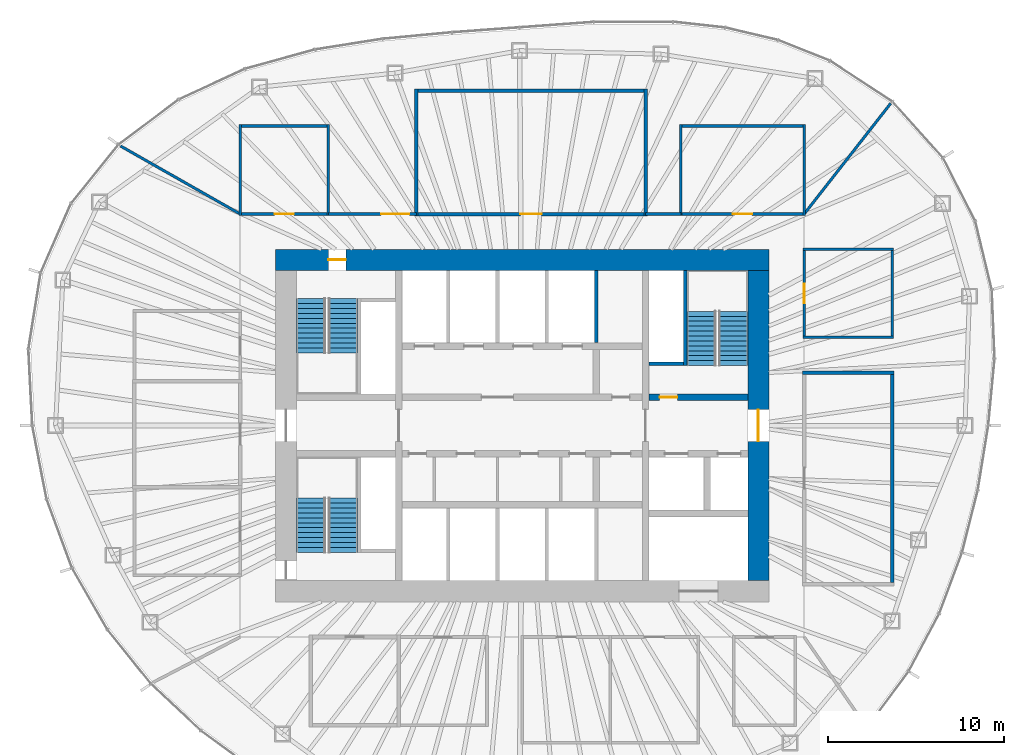
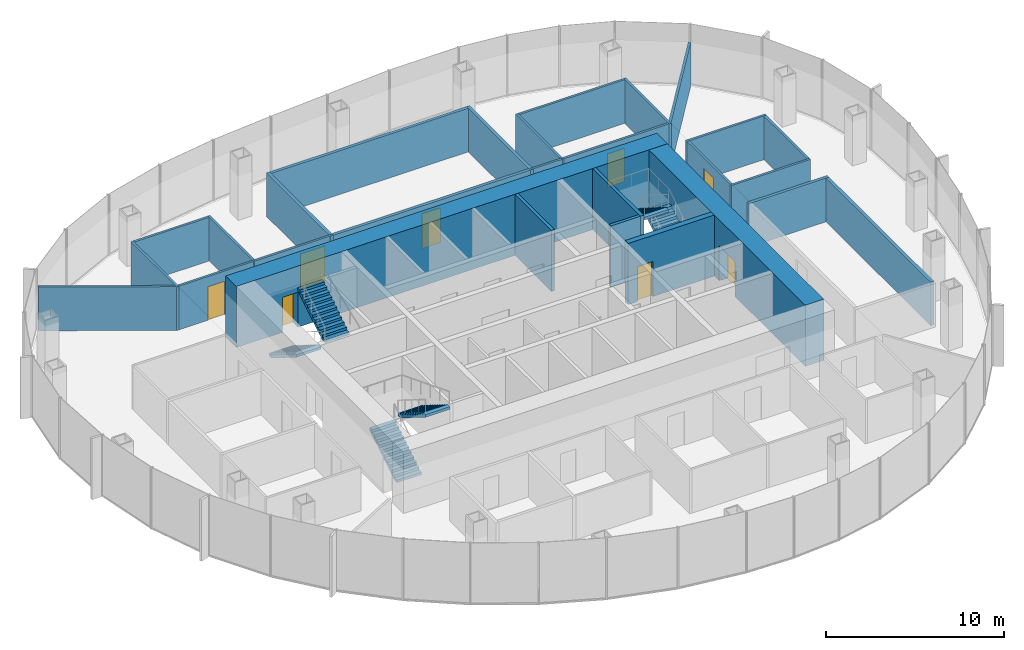
# One storey, part 10 of 11: 28 walls, 8 doors, 6 stair flights, 8 openings, 3 elements without a shape of their own.
"""IFC4 building model written with IfcOpenShell, lengths in metres."""

from ifc_helpers import new_model, si_unit, direction, frame, frame_2d, origin, place, context, subcontext, project, spatial, polyline, rectangle, outline, extrude, material, layer, layer_set, type_object, element, fill, aggregate, save


model = new_model("IFC4")

# Units and contexts
model_context = context("Model", 3, precision=1e-05, world=origin(), true_north=direction((0.0, 1.0)))
body_context = subcontext(model_context, "Body", "Model", "MODEL_VIEW")
ifc_project = project(units=[si_unit("LENGTHUNIT", "METRE"), si_unit("AREAUNIT", "SQUARE_METRE"), si_unit("VOLUMEUNIT", "CUBIC_METRE"), si_unit("PLANEANGLEUNIT", "RADIAN"), si_unit("MASSUNIT", "GRAM", prefix="KILO")], contexts=[model_context])

# Site, building, storey
site_placement = place(None, origin())
site = spatial("IfcSite", under=ifc_project, at=site_placement, CompositionType="ELEMENT")
building_placement = place(site_placement, origin())
building = spatial("IfcBuilding", under=site, at=building_placement, Name="Ghaith Harvest Tower", CompositionType="ELEMENT")
storey_placement = place(building_placement, frame((0.0, 0.0, 262.0)))
storey = spatial("IfcBuildingStorey", under=building, at=storey_placement, Name="L58", CompositionType="ELEMENT", Elevation=262.0)

# Walls
ifc_material_1 = material(Name="Twin-stud gypsum board, acoustic", Category="gypsum")
ifc_layer_1 = layer(ifc_material_1, 0.199951171875)
ifc_layer_set_1 = layer_set([ifc_layer_1], Name="ACOUSTIC PARTITION 200")
wall_type_1 = type_object("IfcWallType", Name="ACOUSTIC PARTITION 200", PredefinedType="PARTITIONING", material=ifc_layer_set_1)
for number, where, z_axis, x_axis, name in (
    (1, (-6.0, 11.89990234375, 0.0), (0.0, 0.0, 1.0), (0.0, 1.0, 0.0), "Partition L58 row N1 cross wall 1"),
    (2, (7.0, 11.89990234375, 0.0), (0.0, 0.0, 1.0), (0.0, 1.0, 0.0), "Partition L58 row N1 cross wall 2"),
):
    element("IfcWall", number, at=place(storey_placement, frame(where, z_axis=z_axis, x_axis=x_axis)), inside=storey, type_object=wall_type_1, Name=name, PredefinedType="PARTITIONING", context=body_context, shape_type="SweptSolid", body=[
        extrude(rectangle(XDim=7.2001953125, YDim=0.199951171875, at=frame_2d((3.60009765625, 0.0))), origin(), (0.0, 0.0, 1.0), 3.0),
    ])

# Wall, opening, door
wall_1_placement = place(storey_placement, frame((-5.89990234375, 12.0, 0.0), z_axis=(0.0, 0.0, 1.0), x_axis=(1.0, 0.0, 0.0)))
wall_1 = element("IfcWall", 3, at=wall_1_placement, inside=storey, type_object=wall_type_1, Name="Partition L58-01", PredefinedType="PARTITIONING", context=body_context, shape_type="SweptSolid", body=[
    extrude(rectangle(XDim=12.7998046875, YDim=0.199951171875, at=frame_2d((6.39990234375, 0.0))), origin(), (0.0, 0.0, 1.0), 3.0),
])
opening_1_placement = place(wall_1_placement, frame((5.800048828125, 0.0, 0.0)))
opening_1 = element("IfcOpeningElement", 4, at=opening_1_placement, cuts=wall_1, Name="Opening 58-022", PredefinedType="OPENING", context=body_context, shape_type="SweptSolid", body=[
    extrude(rectangle(XDim=1.199951171875, YDim=2.39990234375, at=frame_2d((0.60009765625, 1.199951171875))), frame((0.0, 0.10986328125, 0.0), z_axis=(0.0, -1.0, 0.0), x_axis=(1.0, 0.0, 0.0)), (0.0, 0.0, 1.0), 0.219970703125),
])
ifc_material_2 = material(Name="Timber door", Category="wood")
door_type_1 = type_object("IfcDoorType", Name="D11 GLAZED 1200x2400", OperationType="SINGLE_SWING_LEFT", PredefinedType="DOOR", material=ifc_material_2)
door_1_placement = place(opening_1_placement, origin())
door_1 = element("IfcDoor", 5, at=door_1_placement, inside=storey, type_object=door_type_1, Name="Boardroom door", OperationType="SINGLE_SWING_LEFT", OverallHeight=2.39990234375, OverallWidth=1.199951171875, PredefinedType="DOOR", context=body_context, shape_type="SweptSolid", body=[
    extrude(rectangle(XDim=1.199951171875, YDim=2.39990234375, at=frame_2d((0.60009765625, 1.199951171875))), frame((0.0, 0.02490234375, 0.0), z_axis=(0.0, -1.0, 0.0), x_axis=(1.0, 0.0, 0.0)), (0.0, 0.0, 1.0), 0.050048828125),
])
fill(opening_1, door_1)

# Walls
wall_2_placement = place(storey_placement, frame((-5.89990234375, 19.0, 0.0), z_axis=(0.0, 0.0, 1.0), x_axis=(1.0, 0.0, 0.0)))
element("IfcWall", 6, at=wall_2_placement, inside=storey, type_object=wall_type_1, Name="Partition L58-01", PredefinedType="PARTITIONING", context=body_context, shape_type="SweptSolid", body=[
    extrude(rectangle(XDim=12.7998046875, YDim=0.199951171875, at=frame_2d((6.39990234375, 0.0))), origin(), (0.0, 0.0, 1.0), 3.0),
])
wall_3_placement = place(storey_placement, frame((15.89990234375, 3.0, 0.0), z_axis=(0.0, 0.0, 1.0), x_axis=(1.0, 0.0, 0.0)))
element("IfcWall", 7, at=wall_3_placement, inside=storey, type_object=wall_type_1, Name="Partition L58 row E4 cross wall 2", PredefinedType="PARTITIONING", context=body_context, shape_type="SweptSolid", body=[
    extrude(rectangle(XDim=5.2001953125, YDim=0.199951171875, at=frame_2d((2.60009765625, 0.0))), origin(), (0.0, 0.0, 1.0), 3.0),
])
wall_4_placement = place(storey_placement, frame((21.0, -8.89990234375, 0.0), z_axis=(0.0, 0.0, 1.0), x_axis=(0.0, 1.0, 0.0)))
element("IfcWall", 8, at=wall_4_placement, inside=storey, type_object=wall_type_1, Name="Partition L58-04", PredefinedType="PARTITIONING", context=body_context, shape_type="SweptSolid", body=[
    extrude(rectangle(XDim=11.7998046875, YDim=0.199951171875, at=frame_2d((5.89990234375, 0.0))), origin(), (0.0, 0.0, 1.0), 3.0),
])

# Wall, opening, door
ifc_material_3 = material(Name="Concrete C60/75", Category="concrete")
ifc_layer_2 = layer(ifc_material_3, 1.199951171875)
ifc_layer_set_2 = layer_set([ifc_layer_2], Name="CORE WALL CW1200 C60")
wall_type_2 = type_object("IfcWallType", Name="CORE WALL CW1200 C60", PredefinedType="SHEAR", material=ifc_layer_set_2)
wall_5_placement = place(storey_placement, frame((14.0, 9.39990234375, 0.0), z_axis=(0.0, 0.0, 1.0), x_axis=(-1.0, 0.0, 0.0)))
wall_5 = element("IfcWall", 9, at=wall_5_placement, inside=storey, type_object=wall_type_2, Name="Core wall N L58", PredefinedType="SHEAR", context=body_context, shape_type="SweptSolid", body=[
    extrude(rectangle(XDim=28.0, YDim=1.199951171875, at=frame_2d((14.0, 0.0))), origin(), (0.0, 0.0, 1.0), 4.199951171875),
])
opening_2_placement = place(wall_5_placement, frame((24.0, 0.0, 0.0)))
opening_2 = element("IfcOpeningElement", 10, at=opening_2_placement, cuts=wall_5, Name="Opening 58-005", PredefinedType="OPENING", context=body_context, shape_type="SweptSolid", body=[
    extrude(rectangle(XDim=1.0, YDim=2.39990234375, at=frame_2d((0.5, 1.199951171875))), frame((0.0, 0.60986328125, 0.0), z_axis=(0.0, -1.0, 0.0), x_axis=(1.0, 0.0, 0.0)), (0.0, 0.0, 1.0), 1.219970703125),
])
ifc_material_4 = material(Name="Steel fire door", Category="steel")
door_type_2 = type_object("IfcDoorType", Name="D3 FD90 1000x2400", OperationType="SINGLE_SWING_LEFT", PredefinedType="DOOR", material=ifc_material_4)
door_2_placement = place(opening_2_placement, origin())
door_2 = element("IfcDoor", 11, at=door_2_placement, inside=storey, type_object=door_type_2, Name="Stair ST1 door", OperationType="SINGLE_SWING_RIGHT", OverallHeight=2.39990234375, OverallWidth=1.0, PredefinedType="DOOR", context=body_context, shape_type="SweptSolid", body=[
    extrude(rectangle(XDim=1.0, YDim=2.39990234375, at=frame_2d((0.5, 1.199951171875))), frame((0.0, 0.02490234375, 0.0), z_axis=(0.0, -1.0, 0.0), x_axis=(1.0, 0.0, 0.0)), (0.0, 0.0, 1.0), 0.050048828125),
])
fill(opening_2, door_2)

wall_6_placement = place(storey_placement, frame((13.39990234375, -8.800048828125, 0.0), z_axis=(0.0, 0.0, 1.0), x_axis=(0.0, 1.0, 0.0)))
wall_6 = element("IfcWall", 12, at=wall_6_placement, inside=storey, type_object=wall_type_2, Name="Core wall E L58", PredefinedType="SHEAR", context=body_context, shape_type="SweptSolid", body=[
    extrude(rectangle(XDim=17.60009765625, YDim=1.199951171875, at=frame_2d((8.800048828125, 0.0))), origin(), (0.0, 0.0, 1.0), 4.199951171875),
])
opening_3_placement = place(wall_6_placement, frame((7.89990234375, 0.0, 0.0)))
opening_3 = element("IfcOpeningElement", 13, at=opening_3_placement, cuts=wall_6, Name="Opening 58-002", PredefinedType="OPENING", context=body_context, shape_type="SweptSolid", body=[
    extrude(rectangle(XDim=1.800048828125, YDim=2.39990234375, at=frame_2d((0.89990234375, 1.199951171875))), frame((0.0, 0.60986328125, 0.0), z_axis=(0.0, -1.0, 0.0), x_axis=(1.0, 0.0, 0.0)), (0.0, 0.0, 1.0), 1.219970703125),
])
ifc_material_5 = material(Name="Steel fire door", Category="steel")
door_type_3 = type_object("IfcDoorType", Name="D4 FD90 PAIR 1800x2400", OperationType="DOUBLE_DOOR_SINGLE_SWING", PredefinedType="DOOR", material=ifc_material_5)
door_3_placement = place(opening_3_placement, origin())
door_3 = element("IfcDoor", 14, at=door_3_placement, inside=storey, type_object=door_type_3, Name="Fire-fighting lobby doors", OperationType="DOUBLE_DOOR_SINGLE_SWING", OverallHeight=2.39990234375, OverallWidth=1.800048828125, PredefinedType="DOOR", context=body_context, shape_type="SweptSolid", body=[
    extrude(rectangle(XDim=1.800048828125, YDim=2.39990234375, at=frame_2d((0.89990234375, 1.199951171875))), frame((0.0, 0.02490234375, 0.0), z_axis=(0.0, -1.0, 0.0), x_axis=(1.0, 0.0, 0.0)), (0.0, 0.0, 1.0), 0.050048828125),
])
fill(opening_3, door_3)

# Walls
ifc_material_6 = material(Name="Concrete blockwork, 2-hour", Category="masonry")
ifc_layer_3 = layer(ifc_material_6, 0.199951171875)
ifc_layer_set_3 = layer_set([ifc_layer_3], Name="LIFT SHAFT WALL 200")
wall_type_3 = type_object("IfcWallType", Name="LIFT SHAFT WALL 200", PredefinedType="PARTITIONING", material=ifc_layer_set_3)
wall_7_placement = place(storey_placement, frame((4.199951171875, 4.699951171875, 0.0), z_axis=(0.0, 0.0, 1.0), x_axis=(0.0, 1.0, 0.0)))
element("IfcWall", 15, at=wall_7_placement, inside=storey, type_object=wall_type_3, Name="Lift shaft wall L58", PredefinedType="PARTITIONING", context=body_context, shape_type="SweptSolid", body=[
    extrude(rectangle(XDim=4.10009765625, YDim=0.199951171875, at=frame_2d((2.050048828125, 0.0))), origin(), (0.0, 0.0, 1.0), 4.199951171875),
])
ifc_material_7 = material(Name="Gypsum board on steel studs", Category="steel")
ifc_layer_4 = layer(ifc_material_7, 0.14990234375)
ifc_layer_set_4 = layer_set([ifc_layer_4], Name="PARTITION 150")
wall_type_4 = type_object("IfcWallType", Name="PARTITION 150", PredefinedType="PARTITIONING", material=ifc_layer_set_4)
for number, where, z_axis, x_axis, name in (
    (16, (9.0, 11.925048828125, 0.0), (0.0, 0.0, 1.0), (0.0, 1.0, 0.0), "Partition L58 row N2 cross wall 1"),
    (17, (16.0, 11.925048828125, 0.0), (0.0, 0.0, 1.0), (0.0, 1.0, 0.0), "Partition L58 row N2 cross wall 2"),
):
    element("IfcWall", number, at=place(storey_placement, frame(where, z_axis=z_axis, x_axis=x_axis)), inside=storey, type_object=wall_type_4, Name=name, PredefinedType="PARTITIONING", context=body_context, shape_type="SweptSolid", body=[
        extrude(rectangle(XDim=5.14990234375, YDim=0.14990234375, at=frame_2d((2.574951171875, 0.0))), origin(), (0.0, 0.0, 1.0), 3.0),
    ])

# Wall, opening, door
wall_8_placement = place(storey_placement, frame((9.074951171875, 12.0, 0.0), z_axis=(0.0, 0.0, 1.0), x_axis=(1.0, 0.0, 0.0)))
wall_8 = element("IfcWall", 18, at=wall_8_placement, inside=storey, type_object=wall_type_4, Name="Partition L58-02", PredefinedType="PARTITIONING", context=body_context, shape_type="SweptSolid", body=[
    extrude(rectangle(XDim=6.85009765625, YDim=0.14990234375, at=frame_2d((3.425048828125, 0.0))), origin(), (0.0, 0.0, 1.0), 3.0),
])
opening_4_placement = place(wall_8_placement, frame((2.875, 0.0, 0.0)))
opening_4 = element("IfcOpeningElement", 19, at=opening_4_placement, cuts=wall_8, Name="Opening 58-023", PredefinedType="OPENING", context=body_context, shape_type="SweptSolid", body=[
    extrude(rectangle(XDim=1.10009765625, YDim=2.300048828125, at=frame_2d((0.550048828125, 1.14990234375))), frame((0.0, 0.0849609375, 0.0), z_axis=(0.0, -1.0, 0.0), x_axis=(1.0, 0.0, 0.0)), (0.0, 0.0, 1.0), 0.169921875),
])
ifc_material_8 = material(Name="Timber-framed glazed door", Category="wood")
door_type_4 = type_object("IfcDoorType", Name="D12 GLAZED OFFICE 1100x2300", OperationType="SINGLE_SWING_LEFT", PredefinedType="DOOR", material=ifc_material_8)
door_4_placement = place(opening_4_placement, origin())
door_4 = element("IfcDoor", 20, at=door_4_placement, inside=storey, type_object=door_type_4, Name="Chairman's office door", OperationType="SINGLE_SWING_LEFT", OverallHeight=2.300048828125, OverallWidth=1.10009765625, PredefinedType="DOOR", context=body_context, shape_type="SweptSolid", body=[
    extrude(rectangle(XDim=1.10009765625, YDim=2.300048828125, at=frame_2d((0.550048828125, 1.14990234375))), frame((0.0, 0.02490234375, 0.0), z_axis=(0.0, -1.0, 0.0), x_axis=(1.0, 0.0, 0.0)), (0.0, 0.0, 1.0), 0.050048828125),
])
fill(opening_4, door_4)

# Walls
wall_9_placement = place(storey_placement, frame((9.074951171875, 17.0, 0.0), z_axis=(0.0, 0.0, 1.0), x_axis=(1.0, 0.0, 0.0)))
element("IfcWall", 21, at=wall_9_placement, inside=storey, type_object=wall_type_4, Name="Partition L58-02", PredefinedType="PARTITIONING", context=body_context, shape_type="SweptSolid", body=[
    extrude(rectangle(XDim=6.85009765625, YDim=0.14990234375, at=frame_2d((3.425048828125, 0.0))), origin(), (0.0, 0.0, 1.0), 3.0),
])
for number, where, z_axis, x_axis, name in (
    (22, (-16.0, 11.925048828125, 0.0), (0.0, 0.0, 1.0), (0.0, 1.0, 0.0), "Partition L58 row N3 cross wall 1"),
    (23, (-11.0, 11.925048828125, 0.0), (0.0, 0.0, 1.0), (0.0, 1.0, 0.0), "Partition L58 row N3 cross wall 2"),
):
    element("IfcWall", number, at=place(storey_placement, frame(where, z_axis=z_axis, x_axis=x_axis)), inside=storey, type_object=wall_type_4, Name=name, PredefinedType="PARTITIONING", context=body_context, shape_type="SweptSolid", body=[
        extrude(rectangle(XDim=5.14990234375, YDim=0.14990234375, at=frame_2d((2.574951171875, 0.0))), origin(), (0.0, 0.0, 1.0), 3.0),
    ])

# Wall, opening, door
wall_10_placement = place(storey_placement, frame((-15.925048828125, 12.0, 0.0), z_axis=(0.0, 0.0, 1.0), x_axis=(1.0, 0.0, 0.0)))
wall_10 = element("IfcWall", 24, at=wall_10_placement, inside=storey, type_object=wall_type_4, Name="Partition L58-03", PredefinedType="PARTITIONING", context=body_context, shape_type="SweptSolid", body=[
    extrude(rectangle(XDim=4.85009765625, YDim=0.14990234375, at=frame_2d((2.425048828125, 0.0))), origin(), (0.0, 0.0, 1.0), 3.0),
])
opening_5_placement = place(wall_10_placement, frame((1.875, 0.0, 0.0)))
opening_5 = element("IfcOpeningElement", 25, at=opening_5_placement, cuts=wall_10, Name="Opening 58-024", PredefinedType="OPENING", context=body_context, shape_type="SweptSolid", body=[
    extrude(rectangle(XDim=1.10009765625, YDim=2.300048828125, at=frame_2d((0.550048828125, 1.14990234375))), frame((0.0, 0.0849609375, 0.0), z_axis=(0.0, -1.0, 0.0), x_axis=(1.0, 0.0, 0.0)), (0.0, 0.0, 1.0), 0.169921875),
])
door_5_placement = place(opening_5_placement, origin())
door_5 = element("IfcDoor", 26, at=door_5_placement, inside=storey, type_object=door_type_4, Name="Executive assistant office door", OperationType="SINGLE_SWING_LEFT", OverallHeight=2.300048828125, OverallWidth=1.10009765625, PredefinedType="DOOR", context=body_context, shape_type="SweptSolid", body=[
    extrude(rectangle(XDim=1.10009765625, YDim=2.300048828125, at=frame_2d((0.550048828125, 1.14990234375))), frame((0.0, 0.02490234375, 0.0), z_axis=(0.0, -1.0, 0.0), x_axis=(1.0, 0.0, 0.0)), (0.0, 0.0, 1.0), 0.050048828125),
])
fill(opening_5, door_5)

# Walls
wall_11_placement = place(storey_placement, frame((-15.925048828125, 17.0, 0.0), z_axis=(0.0, 0.0, 1.0), x_axis=(1.0, 0.0, 0.0)))
element("IfcWall", 27, at=wall_11_placement, inside=storey, type_object=wall_type_4, Name="Partition L58-03", PredefinedType="PARTITIONING", context=body_context, shape_type="SweptSolid", body=[
    extrude(rectangle(XDim=4.85009765625, YDim=0.14990234375, at=frame_2d((2.425048828125, 0.0))), origin(), (0.0, 0.0, 1.0), 3.0),
])
for number, where, z_axis, x_axis, name in (
    (28, (15.925048828125, 5.0, 0.0), (0.0, 0.0, 1.0), (1.0, 0.0, 0.0), "Partition L58 row E9 cross wall 1"),
    (29, (15.925048828125, 10.0, 0.0), (0.0, 0.0, 1.0), (1.0, 0.0, 0.0), "Partition L58 row E9 cross wall 2"),
):
    element("IfcWall", number, at=place(storey_placement, frame(where, z_axis=z_axis, x_axis=x_axis)), inside=storey, type_object=wall_type_4, Name=name, PredefinedType="PARTITIONING", context=body_context, shape_type="SweptSolid", body=[
        extrude(rectangle(XDim=5.14990234375, YDim=0.14990234375, at=frame_2d((2.574951171875, 0.0))), origin(), (0.0, 0.0, 1.0), 3.0),
    ])

# Wall, opening, door
wall_12_placement = place(storey_placement, frame((16.0, 5.074951171875, 0.0), z_axis=(0.0, 0.0, 1.0), x_axis=(0.0, 1.0, 0.0)))
wall_12 = element("IfcWall", 30, at=wall_12_placement, inside=storey, type_object=wall_type_4, Name="Partition L58-13", PredefinedType="PARTITIONING", context=body_context, shape_type="SweptSolid", body=[
    extrude(rectangle(XDim=4.85009765625, YDim=0.14990234375, at=frame_2d((2.425048828125, 0.0))), origin(), (0.0, 0.0, 1.0), 3.0),
])
opening_6_placement = place(wall_12_placement, frame((1.875, 0.0, 0.0)))
opening_6 = element("IfcOpeningElement", 31, at=opening_6_placement, cuts=wall_12, Name="Opening 58-034", PredefinedType="OPENING", context=body_context, shape_type="SweptSolid", body=[
    extrude(rectangle(XDim=1.10009765625, YDim=2.300048828125, at=frame_2d((0.550048828125, 1.14990234375))), frame((0.0, 0.0849609375, 0.0), z_axis=(0.0, -1.0, 0.0), x_axis=(1.0, 0.0, 0.0)), (0.0, 0.0, 1.0), 0.169921875),
])
door_6_placement = place(opening_6_placement, origin())
door_6 = element("IfcDoor", 32, at=door_6_placement, inside=storey, type_object=door_type_4, Name="Office door", OperationType="SINGLE_SWING_LEFT", OverallHeight=2.300048828125, OverallWidth=1.10009765625, PredefinedType="DOOR", context=body_context, shape_type="SweptSolid", body=[
    extrude(rectangle(XDim=1.10009765625, YDim=2.300048828125, at=frame_2d((0.550048828125, 1.14990234375))), frame((0.0, 0.02490234375, 0.0), z_axis=(0.0, -1.0, 0.0), x_axis=(1.0, 0.0, 0.0)), (0.0, 0.0, 1.0), 0.050048828125),
])
fill(opening_6, door_6)

# Walls
wall_13_placement = place(storey_placement, frame((21.0, 5.074951171875, 0.0), z_axis=(0.0, 0.0, 1.0), x_axis=(0.0, 1.0, 0.0)))
element("IfcWall", 33, at=wall_13_placement, inside=storey, type_object=wall_type_4, Name="Partition L58-13", PredefinedType="PARTITIONING", context=body_context, shape_type="SweptSolid", body=[
    extrude(rectangle(XDim=4.85009765625, YDim=0.14990234375, at=frame_2d((2.425048828125, 0.0))), origin(), (0.0, 0.0, 1.0), 3.0),
])
wall_14_placement = place(storey_placement, frame((-16.02001953125, 12.011474609375, 0.0), z_axis=(0.0, 0.0, 1.0), x_axis=(-0.869354026591, 0.494189818238, 0.0)))
element("IfcWall", 34, at=wall_14_placement, inside=storey, type_object=wall_type_4, Name="Partition L58 zone division", PredefinedType="PARTITIONING", context=body_context, shape_type="SweptSolid", body=[
    extrude(rectangle(XDim=7.788330078125, YDim=0.14990234375, at=frame_2d((3.89404296875, 0.0))), origin(), (0.0, 0.0, 1.0), 3.0),
])
wall_15_placement = place(storey_placement, frame((16.02001953125, 12.025634765625, 0.0), z_axis=(0.0, 0.0, 1.0), x_axis=(0.616031272047, 0.787721696959, 0.0)))
element("IfcWall", 35, at=wall_15_placement, inside=storey, type_object=wall_type_4, Name="Partition L58 zone division", PredefinedType="PARTITIONING", context=body_context, shape_type="SweptSolid", body=[
    extrude(rectangle(XDim=7.93896484375, YDim=0.14990234375, at=frame_2d((3.969482421875, 0.0))), origin(), (0.0, 0.0, 1.0), 3.0),
])

# Wall, opening, door
wall_16_placement = place(storey_placement, frame((-6.0, 12.0, 0.0), z_axis=(0.0, 0.0, 1.0), x_axis=(-1.0, 0.0, 0.0)))
wall_16 = element("IfcWall", 36, at=wall_16_placement, inside=storey, type_object=wall_type_4, Name="Partition L58 zone enclosure", PredefinedType="PARTITIONING", context=body_context, shape_type="SweptSolid", body=[
    extrude(rectangle(XDim=5.0, YDim=0.14990234375, at=frame_2d((2.5, 0.0))), origin(), (0.0, 0.0, 1.0), 3.0),
])
opening_7_placement = place(wall_16_placement, frame((0.39990234375, 0.0, 0.0)))
opening_7 = element("IfcOpeningElement", 37, at=opening_7_placement, cuts=wall_16, Name="Opening 58-035", PredefinedType="OPENING", context=body_context, shape_type="SweptSolid", body=[
    extrude(rectangle(XDim=1.60009765625, YDim=2.39990234375, at=frame_2d((0.800048828125, 1.199951171875))), frame((0.0, 0.0849609375, 0.0), z_axis=(0.0, -1.0, 0.0), x_axis=(1.0, 0.0, 0.0)), (0.0, 0.0, 1.0), 0.169921875),
])
ifc_material_9 = material(Name="Timber door", Category="wood")
door_type_5 = type_object("IfcDoorType", Name="D2 PAIR 1600x2400", OperationType="DOUBLE_DOOR_SINGLE_SWING", PredefinedType="DOOR", material=ifc_material_9)
door_7_placement = place(opening_7_placement, origin())
door_7 = element("IfcDoor", 38, at=door_7_placement, inside=storey, type_object=door_type_5, Name="Board workplace north door", OperationType="DOUBLE_DOOR_SINGLE_SWING", OverallHeight=2.39990234375, OverallWidth=1.60009765625, PredefinedType="DOOR", context=body_context, shape_type="SweptSolid", body=[
    extrude(rectangle(XDim=1.60009765625, YDim=2.39990234375, at=frame_2d((0.800048828125, 1.199951171875))), frame((0.0, 0.02490234375, 0.0), z_axis=(0.0, -1.0, 0.0), x_axis=(1.0, 0.0, 0.0)), (0.0, 0.0, 1.0), 0.050048828125),
])
fill(opening_7, door_7)

# Wall
wall_17_placement = place(storey_placement, frame((9.0, 12.0, 0.0), z_axis=(0.0, 0.0, 1.0), x_axis=(-1.0, 0.0, 0.0)))
element("IfcWall", 39, at=wall_17_placement, inside=storey, type_object=wall_type_4, Name="Partition L58 zone enclosure", PredefinedType="PARTITIONING", context=body_context, shape_type="SweptSolid", body=[
    extrude(rectangle(XDim=2.0, YDim=0.14990234375, at=frame_2d((1.0, 0.0))), origin(), (0.0, 0.0, 1.0), 3.0),
])

# Wall, opening, door
ifc_material_10 = material(Name="Concrete C60/75", Category="concrete")
ifc_layer_5 = layer(ifc_material_10, 0.35009765625)
ifc_layer_set_5 = layer_set([ifc_layer_5], Name="SHAFT WALL 350")
wall_type_5 = type_object("IfcWallType", Name="SHAFT WALL 350", PredefinedType="SHEAR", material=ifc_layer_set_5)
wall_18_placement = place(storey_placement, frame((7.199951171875, 1.60009765625, 0.0), z_axis=(0.0, 0.0, 1.0), x_axis=(1.0, 0.0, 0.0)))
wall_18 = element("IfcWall", 40, at=wall_18_placement, inside=storey, type_object=wall_type_5, Name="Shaft wall EN L58", PredefinedType="SHEAR", context=body_context, shape_type="SweptSolid", body=[
    extrude(rectangle(XDim=5.60009765625, YDim=0.35009765625, at=frame_2d((2.800048828125, 0.0))), origin(), (0.0, 0.0, 1.0), 4.199951171875),
])
opening_8_placement = place(wall_18_placement, frame((0.60009765625, 0.0, 0.0)))
opening_8 = element("IfcOpeningElement", 41, at=opening_8_placement, cuts=wall_18, Name="Opening 58-007", PredefinedType="OPENING", context=body_context, shape_type="SweptSolid", body=[
    extrude(rectangle(XDim=1.0, YDim=2.39990234375, at=frame_2d((0.5, 1.199951171875))), frame((0.0, 0.18505859375, 0.0), z_axis=(0.0, -1.0, 0.0), x_axis=(1.0, 0.0, 0.0)), (0.0, 0.0, 1.0), 0.3701171875),
])
door_8_placement = place(opening_8_placement, origin())
door_8 = element("IfcDoor", 42, at=door_8_placement, inside=storey, type_object=door_type_2, Name="Stair ST2 door", OperationType="SINGLE_SWING_LEFT", OverallHeight=2.39990234375, OverallWidth=1.0, PredefinedType="DOOR", context=body_context, shape_type="SweptSolid", body=[
    extrude(rectangle(XDim=1.0, YDim=2.39990234375, at=frame_2d((0.5, 1.199951171875))), frame((0.0, 0.02490234375, 0.0), z_axis=(0.0, -1.0, 0.0), x_axis=(1.0, 0.0, 0.0)), (0.0, 0.0, 1.0), 0.050048828125),
])
fill(opening_8, door_8)

# Walls
ifc_material_11 = material(Name="Concrete C40/50", Category="concrete")
ifc_layer_6 = layer(ifc_material_11, 0.199951171875)
ifc_layer_set_6 = layer_set([ifc_layer_6], Name="STAIR SPINE WALL RC200")
wall_type_6 = type_object("IfcWallType", Name="STAIR SPINE WALL RC200", PredefinedType="SOLIDWALL", material=ifc_layer_set_6)
wall_19_placement = place(storey_placement, frame((9.25, 3.39990234375, 0.0), z_axis=(0.0, 0.0, 1.0), x_axis=(0.0, 1.0, 0.0)))
element("IfcWall", 43, at=wall_19_placement, inside=storey, type_object=wall_type_6, Name="Stair ST2 spine wall L58", PredefinedType="SOLIDWALL", context=body_context, shape_type="SweptSolid", body=[
    extrude(rectangle(XDim=5.400146484375, YDim=0.199951171875, at=frame_2d((2.7001953125, 0.0))), origin(), (0.0, 0.0, 1.0), 4.199951171875),
])
wall_20_placement = place(storey_placement, frame((9.14990234375, 3.5, 0.0), z_axis=(0.0, 0.0, 1.0), x_axis=(-1.0, 0.0, 0.0)))
element("IfcWall", 44, at=wall_20_placement, inside=storey, type_object=wall_type_6, Name="Stair ST2 spine wall return L58", PredefinedType="SOLIDWALL", context=body_context, shape_type="SweptSolid", body=[
    extrude(rectangle(XDim=1.949951171875, YDim=0.199951171875, at=frame_2d((0.97509765625, 0.0))), origin(), (0.0, 0.0, 1.0), 4.199951171875),
])

# Stair, stair flights
ifc_material_12 = material(Name="Concrete C40/50, precast", Category="concrete")
stair_type = type_object("IfcStairType", Name="CORE STAIR 24R", PredefinedType="HALF_TURN_STAIR", material=ifc_material_12)
stair_1_placement = place(storey_placement, origin())
stair_1 = element("IfcStair", 45, at=stair_1_placement, inside=storey, type_object=stair_type, Name="Stair ST1 L58", PredefinedType="HALF_TURN_STAIR")
ifc_material_13 = material(Name="Concrete C40/50, precast", Category="concrete")
stair_flight_type = type_object("IfcStairFlightType", Name="CORE FLIGHT 12R 1600", PredefinedType="STRAIGHT", material=ifc_material_13)
stair_flight_1_placement = place(storey_placement, frame((-12.0, 7.199951171875, 0.0), z_axis=(0.0, 0.0, 1.0), x_axis=(0.0, -1.0, 0.0)))
stair_flight_1 = element("IfcStairFlight", 46, at=stair_flight_1_placement, type_object=stair_flight_type, Name="ST1 flight 1", NumberOfRisers=12, NumberOfTreads=11, PredefinedType="STRAIGHT", RiserHeight=0.175, TreadLength=0.28, context=body_context, shape_type="SweptSolid", body=[
    extrude(outline(polyline([(0.0, 0.0), (0.0, 0.175048828125), (0.280029296875, 0.175048828125), (0.280029296875, 0.35009765625), (0.56005859375, 0.35009765625), (0.56005859375, 0.52490234375), (0.840087890625, 0.52490234375), (0.840087890625, 0.699951171875), (1.1201171875, 0.699951171875), (1.1201171875, 0.875), (1.39990234375, 0.875), (1.39990234375, 1.050048828125), (1.679931640625, 1.050048828125), (1.679931640625, 1.22509765625), (1.9599609375, 1.22509765625), (1.9599609375, 1.39990234375), (2.239990234375, 1.39990234375), (2.239990234375, 1.574951171875), (2.52001953125, 1.574951171875), (2.52001953125, 1.75), (2.800048828125, 1.75), (2.800048828125, 1.925048828125), (3.080078125, 1.925048828125), (3.080078125, 2.10009765625), (3.080078125, 1.748291015625), (0.28271484375, 0.0), (0.0, 0.0)])), frame((0.0, 0.800048828125, 0.0), z_axis=(0.0, -1.0, 0.0), x_axis=(1.0, 0.0, 0.0)), (0.0, 0.0, 1.0), 1.60009765625),
])
stair_flight_2_placement = place(storey_placement, frame((-10.14990234375, 4.1201171875, 2.10009765625), z_axis=(0.0, 0.0, 1.0), x_axis=(0.0, 1.0, 0.0)))
stair_flight_2 = element("IfcStairFlight", 47, at=stair_flight_2_placement, type_object=stair_flight_type, Name="ST1 flight 2", NumberOfRisers=12, NumberOfTreads=11, PredefinedType="STRAIGHT", RiserHeight=0.175, TreadLength=0.28, context=body_context, shape_type="SweptSolid", body=[
    extrude(outline(polyline([(0.0, 0.0), (0.0, 0.175048828125), (0.280029296875, 0.175048828125), (0.280029296875, 0.35009765625), (0.56005859375, 0.35009765625), (0.56005859375, 0.52490234375), (0.840087890625, 0.52490234375), (0.840087890625, 0.699951171875), (1.1201171875, 0.699951171875), (1.1201171875, 0.875), (1.39990234375, 0.875), (1.39990234375, 1.050048828125), (1.679931640625, 1.050048828125), (1.679931640625, 1.22509765625), (1.9599609375, 1.22509765625), (1.9599609375, 1.39990234375), (2.239990234375, 1.39990234375), (2.239990234375, 1.574951171875), (2.52001953125, 1.574951171875), (2.52001953125, 1.75), (2.800048828125, 1.75), (2.800048828125, 1.925048828125), (3.080078125, 1.925048828125), (3.080078125, 2.10009765625), (3.080078125, 1.748291015625), (0.28271484375, 0.0), (0.0, 0.0)])), frame((0.0, 0.800048828125, 0.0), z_axis=(0.0, -1.0, 0.0), x_axis=(1.0, 0.0, 0.0)), (0.0, 0.0, 1.0), 1.60009765625),
])
aggregate(stair_1, [stair_flight_1, stair_flight_2])

stair_2_placement = place(storey_placement, origin())
stair_2 = element("IfcStair", 48, at=stair_2_placement, inside=storey, type_object=stair_type, Name="Stair ST3 L58", PredefinedType="HALF_TURN_STAIR")
stair_flight_3_placement = place(storey_placement, frame((-12.0, -7.199951171875, 0.0), z_axis=(0.0, 0.0, 1.0), x_axis=(0.0, 1.0, 0.0)))
stair_flight_3 = element("IfcStairFlight", 49, at=stair_flight_3_placement, type_object=stair_flight_type, Name="ST3 flight 1", NumberOfRisers=12, NumberOfTreads=11, PredefinedType="STRAIGHT", RiserHeight=0.175, TreadLength=0.28, context=body_context, shape_type="SweptSolid", body=[
    extrude(outline(polyline([(0.0, 0.0), (0.0, 0.175048828125), (0.280029296875, 0.175048828125), (0.280029296875, 0.35009765625), (0.56005859375, 0.35009765625), (0.56005859375, 0.52490234375), (0.840087890625, 0.52490234375), (0.840087890625, 0.699951171875), (1.1201171875, 0.699951171875), (1.1201171875, 0.875), (1.39990234375, 0.875), (1.39990234375, 1.050048828125), (1.679931640625, 1.050048828125), (1.679931640625, 1.22509765625), (1.9599609375, 1.22509765625), (1.9599609375, 1.39990234375), (2.239990234375, 1.39990234375), (2.239990234375, 1.574951171875), (2.52001953125, 1.574951171875), (2.52001953125, 1.75), (2.800048828125, 1.75), (2.800048828125, 1.925048828125), (3.080078125, 1.925048828125), (3.080078125, 2.10009765625), (3.080078125, 1.748291015625), (0.28271484375, 0.0), (0.0, 0.0)])), frame((0.0, 0.800048828125, 0.0), z_axis=(0.0, -1.0, 0.0), x_axis=(1.0, 0.0, 0.0)), (0.0, 0.0, 1.0), 1.60009765625),
])
stair_flight_4_placement = place(storey_placement, frame((-10.14990234375, -4.1201171875, 2.10009765625), z_axis=(0.0, 0.0, 1.0), x_axis=(0.0, -1.0, 0.0)))
stair_flight_4 = element("IfcStairFlight", 50, at=stair_flight_4_placement, type_object=stair_flight_type, Name="ST3 flight 2", NumberOfRisers=12, NumberOfTreads=11, PredefinedType="STRAIGHT", RiserHeight=0.175, TreadLength=0.28, context=body_context, shape_type="SweptSolid", body=[
    extrude(outline(polyline([(0.0, 0.0), (0.0, 0.175048828125), (0.280029296875, 0.175048828125), (0.280029296875, 0.35009765625), (0.56005859375, 0.35009765625), (0.56005859375, 0.52490234375), (0.840087890625, 0.52490234375), (0.840087890625, 0.699951171875), (1.1201171875, 0.699951171875), (1.1201171875, 0.875), (1.39990234375, 0.875), (1.39990234375, 1.050048828125), (1.679931640625, 1.050048828125), (1.679931640625, 1.22509765625), (1.9599609375, 1.22509765625), (1.9599609375, 1.39990234375), (2.239990234375, 1.39990234375), (2.239990234375, 1.574951171875), (2.52001953125, 1.574951171875), (2.52001953125, 1.75), (2.800048828125, 1.75), (2.800048828125, 1.925048828125), (3.080078125, 1.925048828125), (3.080078125, 2.10009765625), (3.080078125, 1.748291015625), (0.28271484375, 0.0), (0.0, 0.0)])), frame((0.0, 0.800048828125, 0.0), z_axis=(0.0, -1.0, 0.0), x_axis=(1.0, 0.0, 0.0)), (0.0, 0.0, 1.0), 1.60009765625),
])
aggregate(stair_2, [stair_flight_3, stair_flight_4])

stair_3_placement = place(storey_placement, origin())
stair_3 = element("IfcStair", 51, at=stair_3_placement, inside=storey, type_object=stair_type, Name="Stair ST2 L58", PredefinedType="HALF_TURN_STAIR")
stair_flight_5_placement = place(storey_placement, frame((12.0, 3.39990234375, 0.0), z_axis=(0.0, 0.0, 1.0), x_axis=(0.0, 1.0, 0.0)))
stair_flight_5 = element("IfcStairFlight", 52, at=stair_flight_5_placement, type_object=stair_flight_type, Name="ST2 flight 1", NumberOfRisers=12, NumberOfTreads=11, PredefinedType="STRAIGHT", RiserHeight=0.175, TreadLength=0.28, context=body_context, shape_type="SweptSolid", body=[
    extrude(outline(polyline([(0.0, 0.0), (0.0, 0.175048828125), (0.280029296875, 0.175048828125), (0.280029296875, 0.35009765625), (0.56005859375, 0.35009765625), (0.56005859375, 0.52490234375), (0.840087890625, 0.52490234375), (0.840087890625, 0.699951171875), (1.1201171875, 0.699951171875), (1.1201171875, 0.875), (1.39990234375, 0.875), (1.39990234375, 1.050048828125), (1.679931640625, 1.050048828125), (1.679931640625, 1.22509765625), (1.9599609375, 1.22509765625), (1.9599609375, 1.39990234375), (2.239990234375, 1.39990234375), (2.239990234375, 1.574951171875), (2.52001953125, 1.574951171875), (2.52001953125, 1.75), (2.800048828125, 1.75), (2.800048828125, 1.925048828125), (3.080078125, 1.925048828125), (3.080078125, 2.10009765625), (3.080078125, 1.748291015625), (0.28271484375, 0.0), (0.0, 0.0)])), frame((0.0, 0.800048828125, 0.0), z_axis=(0.0, -1.0, 0.0), x_axis=(1.0, 0.0, 0.0)), (0.0, 0.0, 1.0), 1.60009765625),
])
stair_flight_6_placement = place(storey_placement, frame((10.14990234375, 6.47998046875, 2.10009765625), z_axis=(0.0, 0.0, 1.0), x_axis=(0.0, -1.0, 0.0)))
stair_flight_6 = element("IfcStairFlight", 53, at=stair_flight_6_placement, type_object=stair_flight_type, Name="ST2 flight 2", NumberOfRisers=12, NumberOfTreads=11, PredefinedType="STRAIGHT", RiserHeight=0.175, TreadLength=0.28, context=body_context, shape_type="SweptSolid", body=[
    extrude(outline(polyline([(0.0, 0.0), (0.0, 0.175048828125), (0.280029296875, 0.175048828125), (0.280029296875, 0.35009765625), (0.56005859375, 0.35009765625), (0.56005859375, 0.52490234375), (0.840087890625, 0.52490234375), (0.840087890625, 0.699951171875), (1.1201171875, 0.699951171875), (1.1201171875, 0.875), (1.39990234375, 0.875), (1.39990234375, 1.050048828125), (1.679931640625, 1.050048828125), (1.679931640625, 1.22509765625), (1.9599609375, 1.22509765625), (1.9599609375, 1.39990234375), (2.239990234375, 1.39990234375), (2.239990234375, 1.574951171875), (2.52001953125, 1.574951171875), (2.52001953125, 1.75), (2.800048828125, 1.75), (2.800048828125, 1.925048828125), (3.080078125, 1.925048828125), (3.080078125, 2.10009765625), (3.080078125, 1.748291015625), (0.28271484375, 0.0), (0.0, 0.0)])), frame((0.0, 0.800048828125, 0.0), z_axis=(0.0, -1.0, 0.0), x_axis=(1.0, 0.0, 0.0)), (0.0, 0.0, 1.0), 1.60009765625),
])
aggregate(stair_3, [stair_flight_5, stair_flight_6])

save(model, "model.ifc")
